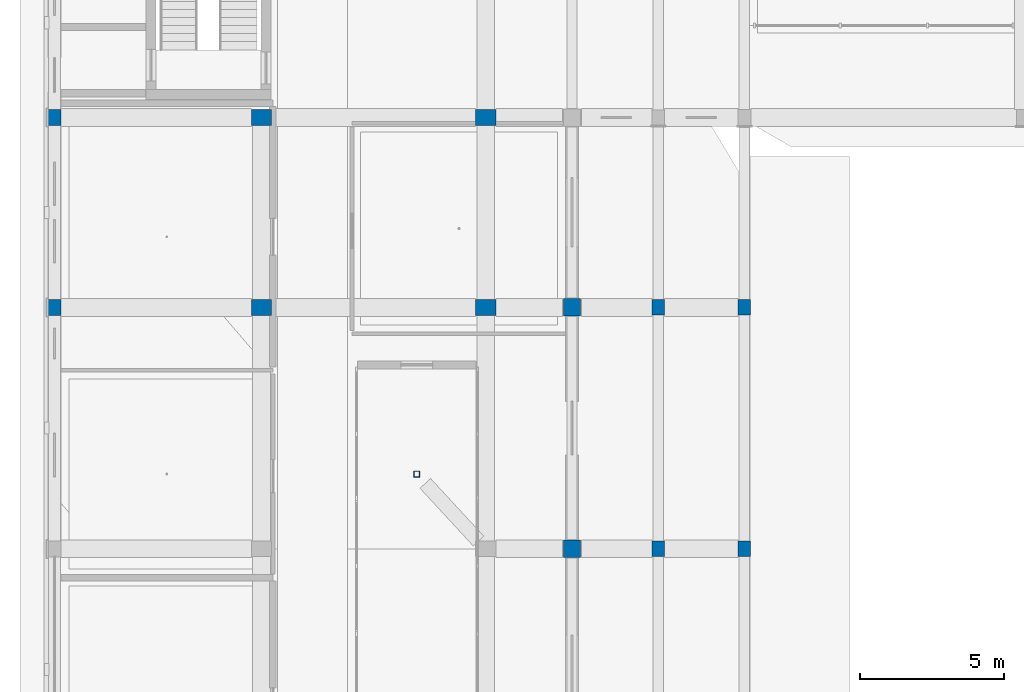
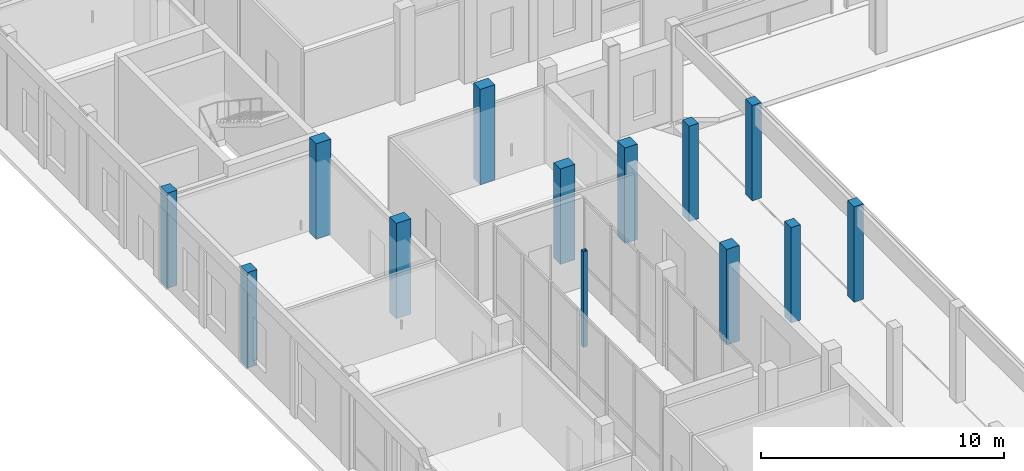
# One storey, part 4 of 88: 13 columns.
"""IFC4 building model written with IfcOpenShell, lengths in metres."""

from ifc_helpers import new_model, si_unit, derived_unit, direction, frame, origin, origin_2d, place, context, subcontext, project, spatial, rectangle, hollow_rectangle, extrude, material, material_profile, profile_set, type_object, element, save


model = new_model("IFC4")

# Units and contexts
model_context = context("Model", 3, precision=1e-05, world=origin(), true_north=direction((0.0, 1.0)))
body_context = subcontext(model_context, "Body", "Model", "MODEL_VIEW")
ifc_project = project(units=[si_unit("LENGTHUNIT", "METRE"), si_unit("AREAUNIT", "SQUARE_METRE"), si_unit("VOLUMEUNIT", "CUBIC_METRE"), si_unit("PLANEANGLEUNIT", "RADIAN"), si_unit("MASSUNIT", "GRAM", prefix="KILO"), derived_unit("THERMALTRANSMITTANCEUNIT", [(si_unit("POWERUNIT", "WATT"), 1), (si_unit("LENGTHUNIT", "METRE"), -2), (si_unit("THERMODYNAMICTEMPERATUREUNIT", "KELVIN"), -1)])], contexts=[model_context])

# Site, building, storey
site_placement = place(None, origin())
site = spatial("IfcSite", under=ifc_project, at=site_placement, CompositionType="ELEMENT")
building_placement = place(site_placement, origin())
building = spatial("IfcBuilding", under=site, at=building_placement, Name="Braskholm Square Health Centre", CompositionType="ELEMENT")
storey_placement = place(building_placement, origin())
storey = spatial("IfcBuildingStorey", under=building, at=storey_placement, Name="L01", CompositionType="ELEMENT", Elevation=0.0)

# Columns
ifc_material_1 = material(Name="Concrete C40/50 (f'c = 40 MPa)", Category="concrete")
ifc_material_profile_1 = material_profile(ifc_material_1, rectangle(XDim=0.699951171875, YDim=0.550048828125, at=origin_2d()), Name="RC-700X550")
ifc_profile_set_1 = profile_set([ifc_material_profile_1], Name="Concrete C40/50 (f'c = 40 MPa)")
column_type_1 = type_object("IfcColumnType", Name="ColImagingHeavy700x550", PredefinedType="COLUMN", material=ifc_profile_set_1)
for number, where, z_axis, x_axis, name in (
    (1, (11.39990234375, 80.60009765625, 0.0), (0.0, 0.0, 1.0), (1.0, 0.0, 0.0), "Column 2/M L01"),
    (2, (11.39990234375, 87.199951171875, 0.0), (0.0, 0.0, 1.0), (1.0, 0.0, 0.0), "Column 2/N L01"),
    (3, (19.199951171875, 80.60009765625, 0.0), (0.0, 0.0, 1.0), (1.0, 0.0, 0.0), "Column 3/M L01"),
    (4, (19.199951171875, 87.199951171875, 0.0), (0.0, 0.0, 1.0), (1.0, 0.0, 0.0), "Column 3/N L01"),
):
    element("IfcColumn", number, at=place(storey_placement, frame(where, z_axis=z_axis, x_axis=x_axis)), inside=storey, type_object=column_type_1, Name=name, PredefinedType="COLUMN", context=body_context, shape_type="SweptSolid", body=[
        extrude(rectangle(XDim=0.699951171875, YDim=0.550048828125, at=origin_2d()), origin(), (0.0, 0.0, 1.0), 4.800048828125),
    ])
ifc_material_profile_2 = material_profile(ifc_material_1, rectangle(XDim=0.60009765625, YDim=0.60009765625, at=origin_2d()), Name="RC-600X600")
ifc_profile_set_2 = profile_set([ifc_material_profile_2], Name="Concrete C40/50 (f'c = 40 MPa)")
column_type_2 = type_object("IfcColumnType", Name="ColInteriorLow600", PredefinedType="COLUMN", material=ifc_profile_set_2)
for number, where, z_axis, x_axis, name in (
    (5, (22.199951171875, 72.199951171875, 0.0), (0.0, 0.0, 1.0), (1.0, 0.0, 0.0), "Column 4/L L01"),
    (6, (22.199951171875, 80.60009765625, 0.0), (0.0, 0.0, 1.0), (1.0, 0.0, 0.0), "Column 4/M L01"),
):
    element("IfcColumn", number, at=place(storey_placement, frame(where, z_axis=z_axis, x_axis=x_axis)), inside=storey, type_object=column_type_2, Name=name, PredefinedType="COLUMN", context=body_context, shape_type="SweptSolid", body=[
        extrude(rectangle(XDim=0.60009765625, YDim=0.60009765625, at=origin_2d()), origin(), (0.0, 0.0, 1.0), 4.800048828125),
    ])
ifc_material_2 = material(Name="Precast concrete C40/50 architectural white", Category="concrete")
ifc_material_profile_3 = material_profile(ifc_material_2, rectangle(XDim=0.43994140625, YDim=0.5400390625, at=origin_2d()), Name="RC-440X540")
ifc_profile_set_3 = profile_set([ifc_material_profile_3], Name="Precast concrete C40/50 architectural white")
column_type_3 = type_object("IfcColumnType", Name="ColPilasterKasota440x540", PredefinedType="PILASTER", material=ifc_profile_set_3)
for number, where, z_axis, x_axis, name in (
    (7, (25.199951171875, 72.199951171875, 0.0), (0.0, 0.0, 1.0), (1.0, 0.0, 0.0), "Column 5/L L01"),
    (8, (25.199951171875, 80.60009765625, 0.0), (0.0, 0.0, 1.0), (1.0, 0.0, 0.0), "Column 5/M L01"),
    (9, (28.199951171875, 72.199951171875, 0.0), (0.0, 0.0, 1.0), (1.0, 0.0, 0.0), "Column 6/L L01"),
    (10, (28.199951171875, 80.60009765625, 0.0), (0.0, 0.0, 1.0), (1.0, 0.0, 0.0), "Column 6/M L01"),
):
    element("IfcColumn", number, at=place(storey_placement, frame(where, z_axis=z_axis, x_axis=x_axis)), inside=storey, type_object=column_type_3, Name=name, PredefinedType="PILASTER", context=body_context, shape_type="SweptSolid", body=[
        extrude(rectangle(XDim=0.43994140625, YDim=0.5400390625, at=origin_2d()), origin(), (0.0, 0.0, 1.0), 4.800048828125),
    ])
ifc_material_profile_4 = material_profile(ifc_material_2, rectangle(XDim=0.4599609375, YDim=0.56005859375, at=origin_2d()), Name="RC-460X560")
ifc_profile_set_4 = profile_set([ifc_material_profile_4], Name="Precast concrete C40/50 architectural white")
column_type_4 = type_object("IfcColumnType", Name="ColPrecastFrame460x560", PredefinedType="COLUMN", material=ifc_profile_set_4)
for number, where, z_axis, x_axis, name in (
    (11, (4.199951171875, 80.60009765625, 0.0), (0.0, 0.0, 1.0), (1.0, 0.0, 0.0), "Column 1/M L01"),
    (12, (4.199951171875, 87.199951171875, 0.0), (0.0, 0.0, 1.0), (1.0, 0.0, 0.0), "Column 1/N L01"),
):
    element("IfcColumn", number, at=place(storey_placement, frame(where, z_axis=z_axis, x_axis=x_axis)), inside=storey, type_object=column_type_4, Name=name, PredefinedType="COLUMN", context=body_context, shape_type="SweptSolid", body=[
        extrude(rectangle(XDim=0.4599609375, YDim=0.56005859375, at=origin_2d()), origin(), (0.0, 0.0, 1.0), 4.800048828125),
    ])
ifc_material_3 = material(Name="Steel ASTM A500 Grade C", Category="steel")
ifc_material_profile_5 = material_profile(ifc_material_3, hollow_rectangle(XDim=0.203125, YDim=0.203125, WallThickness=0.0087890625, at=origin_2d()), Name="HSS8X8X3/8")
ifc_profile_set_5 = profile_set([ifc_material_profile_5], Name="Steel ASTM A500 Grade C")
column_type_5 = type_object("IfcColumnType", Name="ColSteelPorchHSS8", PredefinedType="COLUMN", material=ifc_profile_set_5)
column_placement = place(storey_placement, frame((16.800048828125, 74.800048828125, 0.0), z_axis=(0.0, 0.0, 1.0), x_axis=(1.0, 0.0, 0.0)))
element("IfcColumn", 13, at=column_placement, inside=storey, type_object=column_type_5, Name="Column CS3E L01", PredefinedType="COLUMN", context=body_context, shape_type="SweptSolid", body=[
    extrude(hollow_rectangle(XDim=0.203125, YDim=0.203125, WallThickness=0.0087890625, at=origin_2d()), origin(), (0.0, 0.0, 1.0), 4.800048828125),
])

save(model, "model.ifc")
